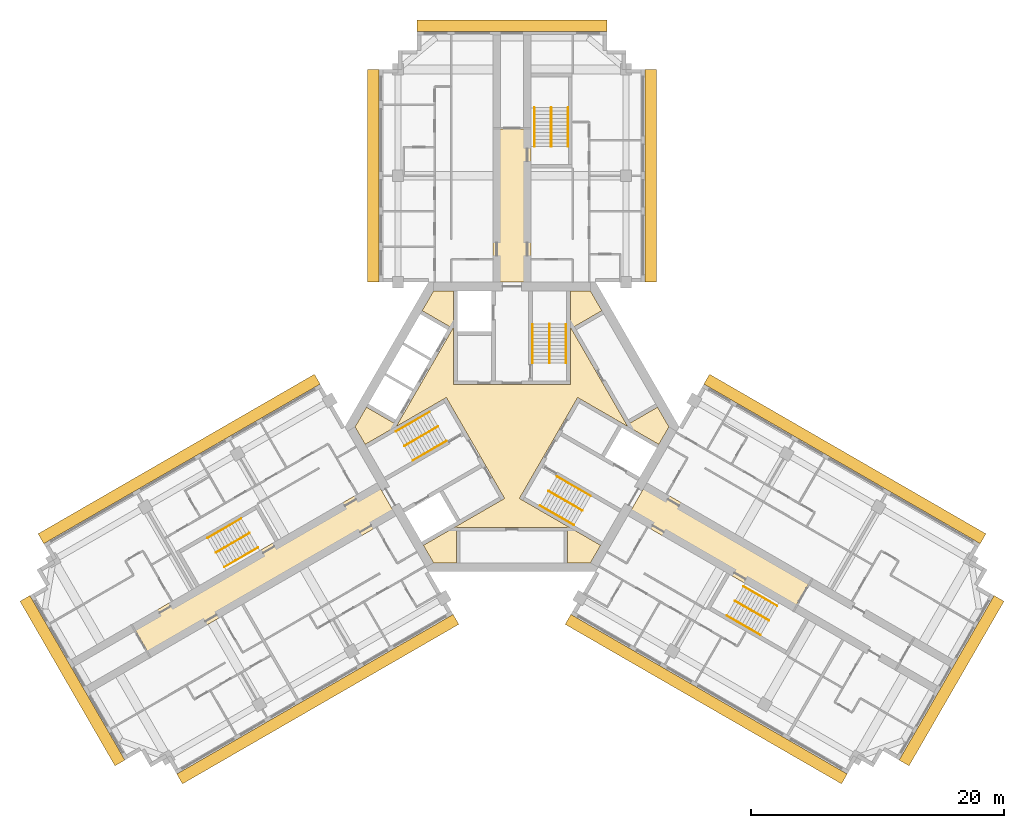
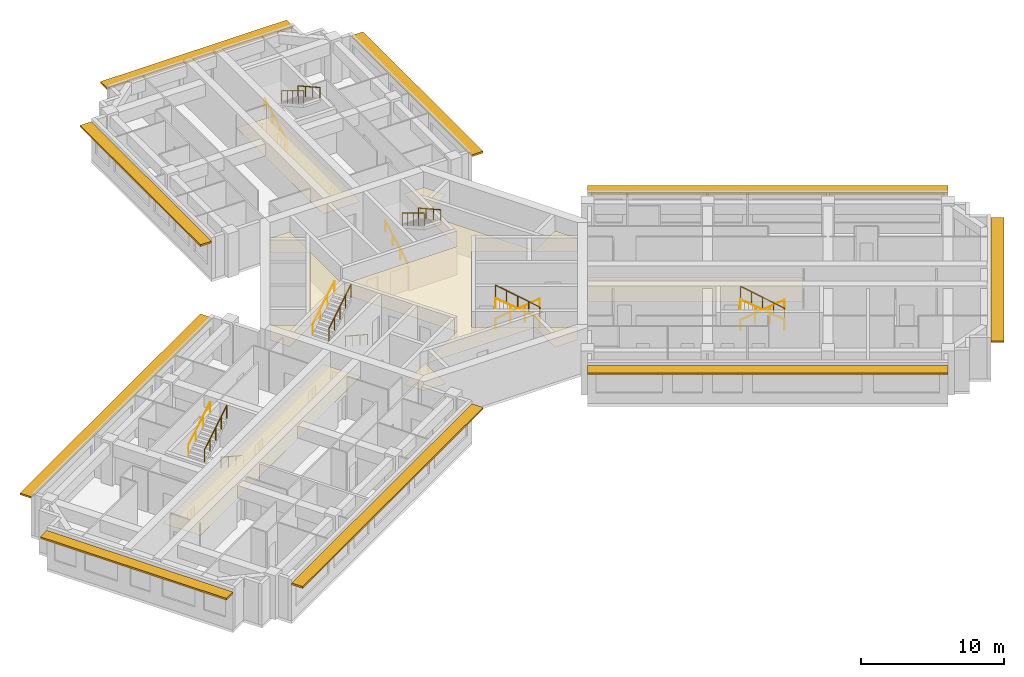
# One storey, part 11 of 11: 18 railings, 4 coverings, 3 shading devices.
"""IFC4 building model written with IfcOpenShell, lengths in metres."""

from ifc_helpers import new_model, si_unit, direction, frame, origin, origin_2d, place, context, subcontext, project, spatial, polyline, rectangle, circle, outline, extrude, material, layer, layer_set, type_object, element, save


model = new_model("IFC4")

# Units and contexts
model_context = context("Model", 3, precision=1e-05, world=origin(), true_north=direction((0.0, 1.0)))
body_context = subcontext(model_context, "Body", "Model", "MODEL_VIEW")
ifc_project = project(units=[si_unit("LENGTHUNIT", "METRE"), si_unit("AREAUNIT", "SQUARE_METRE"), si_unit("VOLUMEUNIT", "CUBIC_METRE"), si_unit("PLANEANGLEUNIT", "RADIAN"), si_unit("MASSUNIT", "GRAM", prefix="KILO")], contexts=[model_context])

# Site, building, storey
site_placement = place(None, origin())
site = spatial("IfcSite", under=ifc_project, at=site_placement, CompositionType="ELEMENT")
building_placement = place(site_placement, origin())
building = spatial("IfcBuilding", under=site, at=building_placement, Name="Impinga Residences", CompositionType="ELEMENT")
storey_placement = place(building_placement, frame((0.0, 0.0, 207.25)))
storey = spatial("IfcBuildingStorey", under=building, at=storey_placement, Name="L51", CompositionType="ELEMENT", Elevation=207.25)

# Coverings
ifc_material_1 = material(Name="Plasterboard 15 mm on steel hangers", Category="steel")
ifc_layer_1 = layer(ifc_material_1, 0.014892578125)
ifc_layer_set_1 = layer_set([ifc_layer_1], Name="Plasterboard 15 mm on steel hangers")
covering_type_1 = type_object("IfcCoveringType", Name="CL1 corridor ceiling, 15 mm plasterboard on hangers", PredefinedType="CEILING", material=ifc_layer_set_1)
covering_1_placement = place(storey_placement, frame((0.0, 0.0, 2.39990234375)))
element("IfcCovering", 1, at=covering_1_placement, inside=storey, type_object=covering_type_1, Name="Corridor ceiling CL1 L51-N00", PredefinedType="CEILING", context=body_context, shape_type="SweptSolid", body=[
    extrude(outline(polyline([(-1.5, 11.431640625), (1.5, 11.431640625), (1.5, 23.531494140625), (-1.5, 23.531494140625), (-1.5, 11.431640625)])), origin(), (0.0, 0.0, 1.0), 0.01513671875),
])
covering_2_placement = place(storey_placement, frame((0.0, 0.0, 2.39990234375)))
element("IfcCovering", 2, at=covering_2_placement, inside=storey, type_object=covering_type_1, Name="Corridor ceiling CL1 L51-W00", PredefinedType="CEILING", context=body_context, shape_type="SweptSolid", body=[
    extrude(outline(polyline([(-9.14990234375, -7.014892578125), (-10.64990234375, -4.416748046875), (-30.005615234375, -15.591796875), (-28.505615234375, -18.189697265625), (-9.14990234375, -7.014892578125)])), origin(), (0.0, 0.0, 1.0), 0.01513671875),
])
covering_3_placement = place(storey_placement, frame((0.0, 0.0, 2.39990234375)))
element("IfcCovering", 3, at=covering_3_placement, inside=storey, type_object=covering_type_1, Name="Corridor ceiling CL1 L51-E00", PredefinedType="CEILING", context=body_context, shape_type="SweptSolid", body=[
    extrude(outline(polyline([(9.14990234375, -7.014892578125), (10.64990234375, -4.416748046875), (23.681396484375, -11.9404296875), (22.181396484375, -14.53857421875), (9.14990234375, -7.014892578125)])), origin(), (0.0, 0.0, 1.0), 0.01513671875),
])
ifc_material_2 = material(Name="Mineral fibre tiles 20 mm on exposed grid", Category="mineral fibre")
ifc_layer_2 = layer(ifc_material_2, 0.02001953125)
ifc_layer_set_2 = layer_set([ifc_layer_2], Name="CL2 lift lobby ceiling, 20 mm mineral fibre tiles")
covering_type_2 = type_object("IfcCoveringType", Name="CL2 lift lobby ceiling, 20 mm mineral fibre tiles", PredefinedType="CEILING", material=ifc_layer_set_2)
covering_4_placement = place(storey_placement, frame((0.0, 0.0, 2.39990234375)))
element("IfcCovering", 4, at=covering_4_placement, inside=storey, type_object=covering_type_2, Name="Lift lobby ceiling CL2 L51-C01", PredefinedType="CEILING", context=body_context, shape_type="SweptSolid", body=[
    extrude(outline(polyline([(12.3916015625, 0.0), (11.59375, -1.382080078125), (5.183837890625, 2.318603515625), (0.583984375, -5.648681640625), (6.993896484375, -9.349365234375), (6.19580078125, -10.7314453125), (4.39990234375, -10.7314453125), (4.39990234375, -7.931640625), (-4.39990234375, -7.931640625), (-4.39990234375, -10.7314453125), (-6.19580078125, -10.7314453125), (-6.993896484375, -9.349365234375), (-0.583984375, -5.648681640625), (-5.183837890625, 2.318603515625), (-11.59375, -1.382080078125), (-12.3916015625, 0.0), (-11.493896484375, 1.55517578125), (-9.06884765625, 0.1552734375), (-4.6689453125, 7.7763671875), (-7.09375, 9.17626953125), (-6.19580078125, 10.7314453125), (-4.60009765625, 10.7314453125), (-4.60009765625, 3.330078125), (4.60009765625, 3.330078125), (4.60009765625, 10.7314453125), (6.19580078125, 10.7314453125), (7.09375, 9.17626953125), (4.6689453125, 7.7763671875), (9.06884765625, 0.1552734375), (11.493896484375, 1.55517578125), (12.3916015625, 0.0)])), origin(), (0.0, 0.0, 1.0), 0.02001953125),
])

# Railings
ifc_material_3 = material(Name="Steel guard, powder coated", Category="steel")
railing_type_1 = type_object("IfcRailingType", Name="GR1 stair guard 1100", PredefinedType="GUARDRAIL", material=ifc_material_3)
railing_1_placement = place(storey_placement, frame((2.949951171875, 8.110107421875, 1.875)))
element("IfcRailing", 5, at=railing_1_placement, inside=storey, type_object=railing_type_1, Name="Stair guard GR1 ST1 L51", PredefinedType="GUARDRAIL", context=body_context, shape_type="SweptSolid", body=[
    extrude(circle(Radius=0.02392578125, at=origin_2d()), frame((0.0, 0.0, 1.076171875), z_axis=(0.0, -0.854177636135, 0.519981313056), x_axis=(1.0, 0.0, 0.0)), (0.0, 0.0, 1.0), 3.60595703125),
    extrude(circle(Radius=0.02099609375, at=origin_2d()), origin(), (0.0, 0.0, 1.0), 1.052001953125),
    extrude(circle(Radius=0.02099609375, at=origin_2d()), frame((0.0, -0.77001953125, 0.46875)), (0.0, 0.0, 1.0), 1.052001953125),
    extrude(circle(Radius=0.02099609375, at=origin_2d()), frame((0.0, -1.5400390625, 0.9375)), (0.0, 0.0, 1.0), 1.052001953125),
    extrude(circle(Radius=0.02099609375, at=origin_2d()), frame((0.0, -2.31005859375, 1.40625)), (0.0, 0.0, 1.0), 1.052001953125),
    extrude(circle(Radius=0.02099609375, at=origin_2d()), frame((0.0, -3.080078125, 1.875)), (0.0, 0.0, 1.0), 1.052001953125),
])
railing_2_placement = place(storey_placement, frame((-8.49853515625, -1.500244140625, 1.875)))
element("IfcRailing", 6, at=railing_2_placement, inside=storey, type_object=railing_type_1, Name="Stair guard GR1 ST2 L51", PredefinedType="GUARDRAIL", context=body_context, shape_type="SweptSolid", body=[
    extrude(circle(Radius=0.02392578125, at=origin_2d()), frame((0.0, 0.0, 1.076171875), z_axis=(0.739746383972, 0.427084037168, 0.519975492303), x_axis=(-0.499992328818, 0.866029832698, 0.0)), (0.0, 0.0, 1.0), 3.60595703125),
    extrude(circle(Radius=0.02099609375, at=origin_2d()), origin(), (0.0, 0.0, 1.0), 1.052001953125),
    extrude(circle(Radius=0.02099609375, at=origin_2d()), frame((0.6669921875, 0.385009765625, 0.46875)), (0.0, 0.0, 1.0), 1.052001953125),
    extrude(circle(Radius=0.02099609375, at=origin_2d()), frame((1.333740234375, 0.77001953125, 0.9375)), (0.0, 0.0, 1.0), 1.052001953125),
    extrude(circle(Radius=0.02099609375, at=origin_2d()), frame((2.00048828125, 1.155029296875, 1.40625)), (0.0, 0.0, 1.0), 1.052001953125),
    extrude(circle(Radius=0.02099609375, at=origin_2d()), frame((2.66748046875, 1.5400390625, 1.875)), (0.0, 0.0, 1.0), 1.052001953125),
])
railing_3_placement = place(storey_placement, frame((5.548583984375, -6.60986328125, 1.875)))
element("IfcRailing", 7, at=railing_3_placement, inside=storey, type_object=railing_type_1, Name="Stair guard GR1 ST3 L51", PredefinedType="GUARDRAIL", context=body_context, shape_type="SweptSolid", body=[
    extrude(circle(Radius=0.02392578125, at=origin_2d()), frame((0.0, 0.0, 1.076171875), z_axis=(-0.739746383972, 0.427084037168, 0.519975492303), x_axis=(-0.499992328818, -0.866029832698, 0.0)), (0.0, 0.0, 1.0), 3.60595703125),
    extrude(circle(Radius=0.02099609375, at=origin_2d()), origin(), (0.0, 0.0, 1.0), 1.052001953125),
    extrude(circle(Radius=0.02099609375, at=origin_2d()), frame((-0.6669921875, 0.385009765625, 0.46875)), (0.0, 0.0, 1.0), 1.052001953125),
    extrude(circle(Radius=0.02099609375, at=origin_2d()), frame((-1.333740234375, 0.77001953125, 0.9375)), (0.0, 0.0, 1.0), 1.052001953125),
    extrude(circle(Radius=0.02099609375, at=origin_2d()), frame((-2.00048828125, 1.155029296875, 1.40625)), (0.0, 0.0, 1.0), 1.052001953125),
    extrude(circle(Radius=0.02099609375, at=origin_2d()), frame((-2.66748046875, 1.5400390625, 1.875)), (0.0, 0.0, 1.0), 1.052001953125),
])
railing_4_placement = place(storey_placement, frame((3.10009765625, 25.21142578125, 1.875)))
element("IfcRailing", 8, at=railing_4_placement, inside=storey, type_object=railing_type_1, Name="Stair guard GR1 WS1 L51", PredefinedType="GUARDRAIL", context=body_context, shape_type="SweptSolid", body=[
    extrude(circle(Radius=0.02392578125, at=origin_2d()), frame((0.0, 0.0, 1.076171875), z_axis=(0.0, -0.854159328187, 0.520011386482), x_axis=(1.0, 0.0, 0.0)), (0.0, 0.0, 1.0), 3.605712890625),
    extrude(circle(Radius=0.02099609375, at=origin_2d()), origin(), (0.0, 0.0, 1.0), 1.052001953125),
    extrude(circle(Radius=0.02099609375, at=origin_2d()), frame((0.0, -0.77001953125, 0.46875)), (0.0, 0.0, 1.0), 1.052001953125),
    extrude(circle(Radius=0.02099609375, at=origin_2d()), frame((0.0, -1.5400390625, 0.9375)), (0.0, 0.0, 1.0), 1.052001953125),
    extrude(circle(Radius=0.02099609375, at=origin_2d()), frame((0.0, -2.309814453125, 1.40625)), (0.0, 0.0, 1.0), 1.052001953125),
    extrude(circle(Radius=0.02099609375, at=origin_2d()), frame((0.0, -3.079833984375, 1.875)), (0.0, 0.0, 1.0), 1.052001953125),
])
railing_5_placement = place(storey_placement, frame((-23.3837890625, -9.921142578125, 1.875)))
element("IfcRailing", 9, at=railing_5_placement, inside=storey, type_object=railing_type_1, Name="Stair guard GR1 WS2 L51", PredefinedType="GUARDRAIL", context=body_context, shape_type="SweptSolid", body=[
    extrude(circle(Radius=0.02392578125, at=origin_2d()), frame((0.0, 0.0, 1.076171875), z_axis=(0.739715726454, 0.427105428144, 0.52000153585), x_axis=(-0.500026652407, 0.866010015463, 0.0)), (0.0, 0.0, 1.0), 3.605712890625),
    extrude(circle(Radius=0.02099609375, at=origin_2d()), origin(), (0.0, 0.0, 1.0), 1.052001953125),
    extrude(circle(Radius=0.02099609375, at=origin_2d()), frame((0.666748046875, 0.385009765625, 0.46875)), (0.0, 0.0, 1.0), 1.052001953125),
    extrude(circle(Radius=0.02099609375, at=origin_2d()), frame((1.33349609375, 0.77001953125, 0.9375)), (0.0, 0.0, 1.0), 1.052001953125),
    extrude(circle(Radius=0.02099609375, at=origin_2d()), frame((2.00048828125, 1.155029296875, 1.40625)), (0.0, 0.0, 1.0), 1.052001953125),
    extrude(circle(Radius=0.02099609375, at=origin_2d()), frame((2.667236328125, 1.5400390625, 1.875)), (0.0, 0.0, 1.0), 1.052001953125),
])
railing_6_placement = place(storey_placement, frame((20.283935546875, -15.29052734375, 1.875)))
element("IfcRailing", 10, at=railing_6_placement, inside=storey, type_object=railing_type_1, Name="Stair guard GR1 WS3 L51", PredefinedType="GUARDRAIL", context=body_context, shape_type="SweptSolid", body=[
    extrude(circle(Radius=0.02392578125, at=origin_2d()), frame((0.0, 0.0, 1.076171875), z_axis=(-0.739746383972, 0.427084037168, 0.519975492303), x_axis=(-0.499992328818, -0.866029832698, 0.0)), (0.0, 0.0, 1.0), 3.60595703125),
    extrude(circle(Radius=0.02099609375, at=origin_2d()), origin(), (0.0, 0.0, 1.0), 1.052001953125),
    extrude(circle(Radius=0.02099609375, at=origin_2d()), frame((-0.6669921875, 0.385009765625, 0.46875)), (0.0, 0.0, 1.0), 1.052001953125),
    extrude(circle(Radius=0.02099609375, at=origin_2d()), frame((-1.333740234375, 0.77001953125, 0.9375)), (0.0, 0.0, 1.0), 1.052001953125),
    extrude(circle(Radius=0.02099609375, at=origin_2d()), frame((-2.00048828125, 1.155029296875, 1.40625)), (0.0, 0.0, 1.0), 1.052001953125),
    extrude(circle(Radius=0.02099609375, at=origin_2d()), frame((-2.66748046875, 1.5400390625, 1.875)), (0.0, 0.0, 1.0), 1.052001953125),
])
ifc_material_4 = material(Name="Steel handrail tube 42 mm, powder coated", Category="steel")
railing_type_2 = type_object("IfcRailingType", Name="HR1 stair handrail, 42 mm steel tube, 900 above the pitch line", PredefinedType="HANDRAIL", material=ifc_material_4)
railing_7_placement = place(storey_placement, frame((1.62109375, 5.030029296875, 0.15625)))
element("IfcRailing", 11, at=railing_7_placement, inside=storey, type_object=railing_type_2, Name="Stair handrail HR1 ST1 L51", PredefinedType="HANDRAIL", context=body_context, shape_type="SweptSolid", body=[
    extrude(circle(Radius=0.02099609375, at=origin_2d()), frame((0.0, 0.0, 0.87890625), z_axis=(0.0, 0.873241540666, 0.487287606713), x_axis=(-1.0, 0.0, 0.0)), (0.0, 0.0, 1.0), 3.527099609375),
    extrude(circle(Radius=0.012451171875, at=origin_2d()), origin(), (0.0, 0.0, 1.0), 0.85791015625),
    extrude(circle(Radius=0.012451171875, at=origin_2d()), frame((0.0, 1.026611328125, 0.572998046875)), (0.0, 0.0, 1.0), 0.85791015625),
    extrude(circle(Radius=0.012451171875, at=origin_2d()), frame((0.0, 2.053466796875, 1.145751953125)), (0.0, 0.0, 1.0), 0.85791015625),
    extrude(circle(Radius=0.012451171875, at=origin_2d()), frame((0.0, 3.080078125, 1.71875)), (0.0, 0.0, 1.0), 0.85791015625),
])
railing_8_placement = place(storey_placement, frame((4.279052734375, 8.110107421875, 2.03125)))
element("IfcRailing", 12, at=railing_8_placement, inside=storey, type_object=railing_type_2, Name="Stair handrail HR1 ST1 L51", PredefinedType="HANDRAIL", context=body_context, shape_type="SweptSolid", body=[
    extrude(circle(Radius=0.02099609375, at=origin_2d()), frame((0.0, 0.0, 0.87890625), z_axis=(0.0, -0.873241540666, 0.487287606713), x_axis=(1.0, 0.0, 0.0)), (0.0, 0.0, 1.0), 3.527099609375),
    extrude(circle(Radius=0.012451171875, at=origin_2d()), origin(), (0.0, 0.0, 1.0), 0.85791015625),
    extrude(circle(Radius=0.012451171875, at=origin_2d()), frame((0.0, -1.026611328125, 0.572998046875)), (0.0, 0.0, 1.0), 0.85791015625),
    extrude(circle(Radius=0.012451171875, at=origin_2d()), frame((0.0, -2.053466796875, 1.145751953125)), (0.0, 0.0, 1.0), 0.85791015625),
    extrude(circle(Radius=0.012451171875, at=origin_2d()), frame((0.0, -3.080078125, 1.71875)), (0.0, 0.0, 1.0), 0.85791015625),
])
railing_9_placement = place(storey_placement, frame((-5.16650390625, -1.111083984375, 0.15625)))
element("IfcRailing", 13, at=railing_9_placement, inside=storey, type_object=railing_type_2, Name="Stair handrail HR1 ST2 L51", PredefinedType="HANDRAIL", context=body_context, shape_type="SweptSolid", body=[
    extrude(circle(Radius=0.02099609375, at=origin_2d()), frame((0.0, 0.0, 0.87890625), z_axis=(-0.756255980417, -0.436615662133, 0.487281905742), x_axis=(0.499992328818, -0.866029832698, 0.0)), (0.0, 0.0, 1.0), 3.527099609375),
    extrude(circle(Radius=0.012451171875, at=origin_2d()), origin(), (0.0, 0.0, 1.0), 0.85791015625),
    extrude(circle(Radius=0.012451171875, at=origin_2d()), frame((-0.88916015625, -0.513427734375, 0.572998046875)), (0.0, 0.0, 1.0), 0.85791015625),
    extrude(circle(Radius=0.012451171875, at=origin_2d()), frame((-1.7783203125, -1.026611328125, 1.145751953125)), (0.0, 0.0, 1.0), 0.85791015625),
    extrude(circle(Radius=0.012451171875, at=origin_2d()), frame((-2.66748046875, -1.5400390625, 1.71875)), (0.0, 0.0, 1.0), 0.85791015625),
])
railing_10_placement = place(storey_placement, frame((-9.1630859375, -0.349365234375, 2.03125)))
element("IfcRailing", 14, at=railing_10_placement, inside=storey, type_object=railing_type_2, Name="Stair handrail HR1 ST2 L51", PredefinedType="HANDRAIL", context=body_context, shape_type="SweptSolid", body=[
    extrude(circle(Radius=0.02099609375, at=origin_2d()), frame((0.0, 0.0, 0.87890625), z_axis=(0.756255980417, 0.436615662133, 0.487281905742), x_axis=(-0.499992328818, 0.866029832698, 0.0)), (0.0, 0.0, 1.0), 3.527099609375),
    extrude(circle(Radius=0.012451171875, at=origin_2d()), origin(), (0.0, 0.0, 1.0), 0.85791015625),
    extrude(circle(Radius=0.012451171875, at=origin_2d()), frame((0.88916015625, 0.513427734375, 0.572998046875)), (0.0, 0.0, 1.0), 0.85791015625),
    extrude(circle(Radius=0.012451171875, at=origin_2d()), frame((1.7783203125, 1.026611328125, 1.145751953125)), (0.0, 0.0, 1.0), 0.85791015625),
    extrude(circle(Radius=0.012451171875, at=origin_2d()), frame((2.66748046875, 1.5400390625, 1.71875)), (0.0, 0.0, 1.0), 0.85791015625),
])
railing_11_placement = place(storey_placement, frame((3.545654296875, -3.9189453125, 0.15625)))
element("IfcRailing", 15, at=railing_11_placement, inside=storey, type_object=railing_type_2, Name="Stair handrail HR1 ST3 L51", PredefinedType="HANDRAIL", context=body_context, shape_type="SweptSolid", body=[
    extrude(circle(Radius=0.02099609375, at=origin_2d()), frame((0.0, 0.0, 0.87890625), z_axis=(0.756249203677, -0.436582492228, 0.487322141317), x_axis=(0.499967199496, 0.866044340336, 0.0)), (0.0, 0.0, 1.0), 3.52685546875),
    extrude(circle(Radius=0.012451171875, at=origin_2d()), origin(), (0.0, 0.0, 1.0), 0.85791015625),
    extrude(circle(Radius=0.012451171875, at=origin_2d()), frame((0.88916015625, -0.51318359375, 0.572998046875)), (0.0, 0.0, 1.0), 0.85791015625),
    extrude(circle(Radius=0.012451171875, at=origin_2d()), frame((1.778076171875, -1.026611328125, 1.145751953125)), (0.0, 0.0, 1.0), 0.85791015625),
    extrude(circle(Radius=0.012451171875, at=origin_2d()), frame((2.667236328125, -1.539794921875, 1.71875)), (0.0, 0.0, 1.0), 0.85791015625),
])
railing_12_placement = place(storey_placement, frame((4.884033203125, -7.7607421875, 2.03125)))
element("IfcRailing", 16, at=railing_12_placement, inside=storey, type_object=railing_type_2, Name="Stair handrail HR1 ST3 L51", PredefinedType="HANDRAIL", context=body_context, shape_type="SweptSolid", body=[
    extrude(circle(Radius=0.02099609375, at=origin_2d()), frame((0.0, 0.0, 0.87890625), z_axis=(-0.756255980417, 0.436615662133, 0.487281905742), x_axis=(-0.499992328818, -0.866029832698, 0.0)), (0.0, 0.0, 1.0), 3.527099609375),
    extrude(circle(Radius=0.012451171875, at=origin_2d()), origin(), (0.0, 0.0, 1.0), 0.85791015625),
    extrude(circle(Radius=0.012451171875, at=origin_2d()), frame((-0.88916015625, 0.513427734375, 0.572998046875)), (0.0, 0.0, 1.0), 0.85791015625),
    extrude(circle(Radius=0.012451171875, at=origin_2d()), frame((-1.7783203125, 1.026611328125, 1.145751953125)), (0.0, 0.0, 1.0), 0.85791015625),
    extrude(circle(Radius=0.012451171875, at=origin_2d()), frame((-2.66748046875, 1.5400390625, 1.71875)), (0.0, 0.0, 1.0), 0.85791015625),
])
railing_13_placement = place(storey_placement, frame((1.77099609375, 22.131591796875, 0.15625)))
element("IfcRailing", 17, at=railing_13_placement, inside=storey, type_object=railing_type_2, Name="Stair handrail HR1 WS1 L51", PredefinedType="HANDRAIL", context=body_context, shape_type="SweptSolid", body=[
    extrude(circle(Radius=0.02099609375, at=origin_2d()), frame((0.0, 0.0, 0.87890625), z_axis=(0.0, 0.873225103656, 0.487317061414), x_axis=(-1.0, 0.0, 0.0)), (0.0, 0.0, 1.0), 3.52685546875),
    extrude(circle(Radius=0.012451171875, at=origin_2d()), origin(), (0.0, 0.0, 1.0), 0.85791015625),
    extrude(circle(Radius=0.012451171875, at=origin_2d()), frame((0.0, 1.026611328125, 0.572998046875)), (0.0, 0.0, 1.0), 0.85791015625),
    extrude(circle(Radius=0.012451171875, at=origin_2d()), frame((0.0, 2.05322265625, 1.145751953125)), (0.0, 0.0, 1.0), 0.85791015625),
    extrude(circle(Radius=0.012451171875, at=origin_2d()), frame((0.0, 3.079833984375, 1.71875)), (0.0, 0.0, 1.0), 0.85791015625),
])
railing_14_placement = place(storey_placement, frame((4.428955078125, 25.21142578125, 2.03125)))
element("IfcRailing", 18, at=railing_14_placement, inside=storey, type_object=railing_type_2, Name="Stair handrail HR1 WS1 L51", PredefinedType="HANDRAIL", context=body_context, shape_type="SweptSolid", body=[
    extrude(circle(Radius=0.02099609375, at=origin_2d()), frame((0.0, 0.0, 0.87890625), z_axis=(0.0, -0.873225103656, 0.487317061414), x_axis=(1.0, 0.0, 0.0)), (0.0, 0.0, 1.0), 3.52685546875),
    extrude(circle(Radius=0.012451171875, at=origin_2d()), origin(), (0.0, 0.0, 1.0), 0.85791015625),
    extrude(circle(Radius=0.012451171875, at=origin_2d()), frame((0.0, -1.026611328125, 0.572998046875)), (0.0, 0.0, 1.0), 0.85791015625),
    extrude(circle(Radius=0.012451171875, at=origin_2d()), frame((0.0, -2.05322265625, 1.145751953125)), (0.0, 0.0, 1.0), 0.85791015625),
    extrude(circle(Radius=0.012451171875, at=origin_2d()), frame((0.0, -3.079833984375, 1.71875)), (0.0, 0.0, 1.0), 0.85791015625),
])
railing_15_placement = place(storey_placement, frame((-20.052001953125, -9.531982421875, 0.15625)))
element("IfcRailing", 19, at=railing_15_placement, inside=storey, type_object=railing_type_2, Name="Stair handrail HR1 WS2 L51", PredefinedType="HANDRAIL", context=body_context, shape_type="SweptSolid", body=[
    extrude(circle(Radius=0.02099609375, at=origin_2d()), frame((0.0, 0.0, 0.87890625), z_axis=(-0.756226348243, -0.436638517594, 0.487307413422), x_axis=(0.500026652407, -0.866010015463, 0.0)), (0.0, 0.0, 1.0), 3.527099609375),
    extrude(circle(Radius=0.012451171875, at=origin_2d()), origin(), (0.0, 0.0, 1.0), 0.85791015625),
    extrude(circle(Radius=0.012451171875, at=origin_2d()), frame((-0.88916015625, -0.513427734375, 0.572998046875)), (0.0, 0.0, 1.0), 0.85791015625),
    extrude(circle(Radius=0.012451171875, at=origin_2d()), frame((-1.778076171875, -1.026611328125, 1.145751953125)), (0.0, 0.0, 1.0), 0.85791015625),
    extrude(circle(Radius=0.012451171875, at=origin_2d()), frame((-2.667236328125, -1.5400390625, 1.71875)), (0.0, 0.0, 1.0), 0.85791015625),
])
railing_16_placement = place(storey_placement, frame((-24.04833984375, -8.77001953125, 2.03125)))
element("IfcRailing", 20, at=railing_16_placement, inside=storey, type_object=railing_type_2, Name="Stair handrail HR1 WS2 L51", PredefinedType="HANDRAIL", context=body_context, shape_type="SweptSolid", body=[
    extrude(circle(Radius=0.02099609375, at=origin_2d()), frame((0.0, 0.0, 0.87890625), z_axis=(0.756278834354, 0.436559638319, 0.487296631324), x_axis=(-0.499932877268, 0.866064153644, 0.0)), (0.0, 0.0, 1.0), 3.527099609375),
    extrude(circle(Radius=0.012451171875, at=origin_2d()), origin(), (0.0, 0.0, 1.0), 0.85791015625),
    extrude(circle(Radius=0.012451171875, at=origin_2d()), frame((0.88916015625, 0.51318359375, 0.572998046875)), (0.0, 0.0, 1.0), 0.85791015625),
    extrude(circle(Radius=0.012451171875, at=origin_2d()), frame((1.7783203125, 1.026611328125, 1.145751953125)), (0.0, 0.0, 1.0), 0.85791015625),
    extrude(circle(Radius=0.012451171875, at=origin_2d()), frame((2.66748046875, 1.539794921875, 1.71875)), (0.0, 0.0, 1.0), 0.85791015625),
])
railing_17_placement = place(storey_placement, frame((18.281005859375, -12.599609375, 0.15625)))
element("IfcRailing", 21, at=railing_17_placement, inside=storey, type_object=railing_type_2, Name="Stair handrail HR1 WS3 L51", PredefinedType="HANDRAIL", context=body_context, shape_type="SweptSolid", body=[
    extrude(circle(Radius=0.02099609375, at=origin_2d()), frame((0.0, 0.0, 0.87890625), z_axis=(0.756249203677, -0.436582492228, 0.487322141317), x_axis=(0.499967199496, 0.866044340336, 0.0)), (0.0, 0.0, 1.0), 3.52685546875),
    extrude(circle(Radius=0.012451171875, at=origin_2d()), origin(), (0.0, 0.0, 1.0), 0.85791015625),
    extrude(circle(Radius=0.012451171875, at=origin_2d()), frame((0.88916015625, -0.51318359375, 0.572998046875)), (0.0, 0.0, 1.0), 0.85791015625),
    extrude(circle(Radius=0.012451171875, at=origin_2d()), frame((1.778076171875, -1.026611328125, 1.145751953125)), (0.0, 0.0, 1.0), 0.85791015625),
    extrude(circle(Radius=0.012451171875, at=origin_2d()), frame((2.667236328125, -1.539794921875, 1.71875)), (0.0, 0.0, 1.0), 0.85791015625),
])
railing_18_placement = place(storey_placement, frame((19.619384765625, -16.44140625, 2.03125)))
element("IfcRailing", 22, at=railing_18_placement, inside=storey, type_object=railing_type_2, Name="Stair handrail HR1 WS3 L51", PredefinedType="HANDRAIL", context=body_context, shape_type="SweptSolid", body=[
    extrude(circle(Radius=0.02099609375, at=origin_2d()), frame((0.0, 0.0, 0.87890625), z_axis=(-0.756255980417, 0.436615662133, 0.487281905742), x_axis=(-0.499992328818, -0.866029832698, 0.0)), (0.0, 0.0, 1.0), 3.527099609375),
    extrude(circle(Radius=0.012451171875, at=origin_2d()), origin(), (0.0, 0.0, 1.0), 0.85791015625),
    extrude(circle(Radius=0.012451171875, at=origin_2d()), frame((-0.88916015625, 0.513427734375, 0.572998046875)), (0.0, 0.0, 1.0), 0.85791015625),
    extrude(circle(Radius=0.012451171875, at=origin_2d()), frame((-1.7783203125, 1.026611328125, 1.145751953125)), (0.0, 0.0, 1.0), 0.85791015625),
    extrude(circle(Radius=0.012451171875, at=origin_2d()), frame((-2.66748046875, 1.5400390625, 1.71875)), (0.0, 0.0, 1.0), 0.85791015625),
])

# Shading devices
ifc_material_5 = material(Name="Terracotta sunshade blades on aluminium brackets", Category="masonry")
ifc_layer_3 = layer(ifc_material_5, 0.14990234375)
ifc_layer_set_3 = layer_set([ifc_layer_3], Name="SS1 SUNSHADE terracotta sunshade band 900")
shading_device_type = type_object("IfcShadingDeviceType", Name="SS1 SUNSHADE terracotta sunshade band 900", PredefinedType="USERDEFINED", material=ifc_layer_set_3)
shading_device_1_placement = place(storey_placement, frame((-10.949951171875, 19.83154296875, 3.10009765625), z_axis=(0.0, 0.0, 1.0), x_axis=(0.0, 1.0, 0.0)))
element("IfcShadingDevice", 23, at=shading_device_1_placement, inside=storey, type_object=shading_device_type, Name="SUNSHADE band L51 NORTH WING", ObjectType="SUNSHADE", PredefinedType="USERDEFINED", context=body_context, shape_type="SweptSolid", body=[
    extrude(rectangle(XDim=16.800048828125, YDim=0.89990234375, at=origin_2d()), origin(), (0.0, 0.0, 1.0), 0.14990234375),
    extrude(rectangle(XDim=15.0, YDim=0.89990234375, at=origin_2d()), frame((11.85009765625, -10.949951171875, 0.0), z_axis=(0.0, 0.0, 1.0), x_axis=(0.0, -1.0, 0.0)), (0.0, 0.0, 1.0), 0.14990234375),
    extrude(rectangle(XDim=16.800048828125, YDim=0.89990234375, at=origin_2d()), frame((0.0, -21.89990234375, 0.0), z_axis=(0.0, 0.0, 1.0), x_axis=(-1.0, 0.0, 0.0)), (0.0, 0.0, 1.0), 0.14990234375),
])
shading_device_2_placement = place(storey_placement, frame((-34.711669921875, -20.040771484375, 3.10009765625), z_axis=(0.0, 0.0, 1.0), x_axis=(-0.5, 0.866025403784, 0.0)))
element("IfcShadingDevice", 24, at=shading_device_2_placement, inside=storey, type_object=shading_device_type, Name="SUNSHADE band L51 WEST WING", ObjectType="SUNSHADE", PredefinedType="USERDEFINED", context=body_context, shape_type="SweptSolid", body=[
    extrude(rectangle(XDim=15.0, YDim=0.89990234375, at=origin_2d()), origin(), (0.0, 0.0, 1.0), 0.14990234375),
    extrude(rectangle(XDim=25.199951171875, YDim=0.89990234375, at=origin_2d()), frame((10.949951171875, -16.050048828125, 0.0), z_axis=(0.0, 0.0, 1.0), x_axis=(0.0, -1.0, 0.0)), (0.0, 0.0, 1.0), 0.14990234375),
    extrude(rectangle(XDim=25.199951171875, YDim=0.89990234375, at=origin_2d()), frame((-10.949951171875, -16.050048828125, 0.0), z_axis=(0.0, 0.0, 1.0), x_axis=(0.0, 1.0, 0.0)), (0.0, 0.0, 1.0), 0.14990234375),
])
shading_device_3_placement = place(storey_placement, frame((26.286865234375, -2.53271484375, 3.10009765625), z_axis=(0.0, 0.0, 1.0), x_axis=(0.866025403784, -0.5, 0.0)))
element("IfcShadingDevice", 25, at=shading_device_3_placement, inside=storey, type_object=shading_device_type, Name="SUNSHADE band L51 EAST WING", ObjectType="SUNSHADE", PredefinedType="USERDEFINED", context=body_context, shape_type="SweptSolid", body=[
    extrude(rectangle(XDim=25.199951171875, YDim=0.89990234375, at=origin_2d()), origin(), (0.0, 0.0, 1.0), 0.14990234375),
    extrude(rectangle(XDim=15.0, YDim=0.89990234375, at=origin_2d()), frame((16.050048828125, -10.949951171875, 0.0), z_axis=(0.0, 0.0, 1.0), x_axis=(0.0, -1.0, 0.0)), (0.0, 0.0, 1.0), 0.14990234375),
    extrude(rectangle(XDim=25.199951171875, YDim=0.89990234375, at=origin_2d()), frame((0.0, -21.900146484375, 0.0), z_axis=(0.0, 0.0, 1.0), x_axis=(-1.0, 0.0, 0.0)), (0.0, 0.0, 1.0), 0.14990234375),
])

save(model, "model.ifc")
